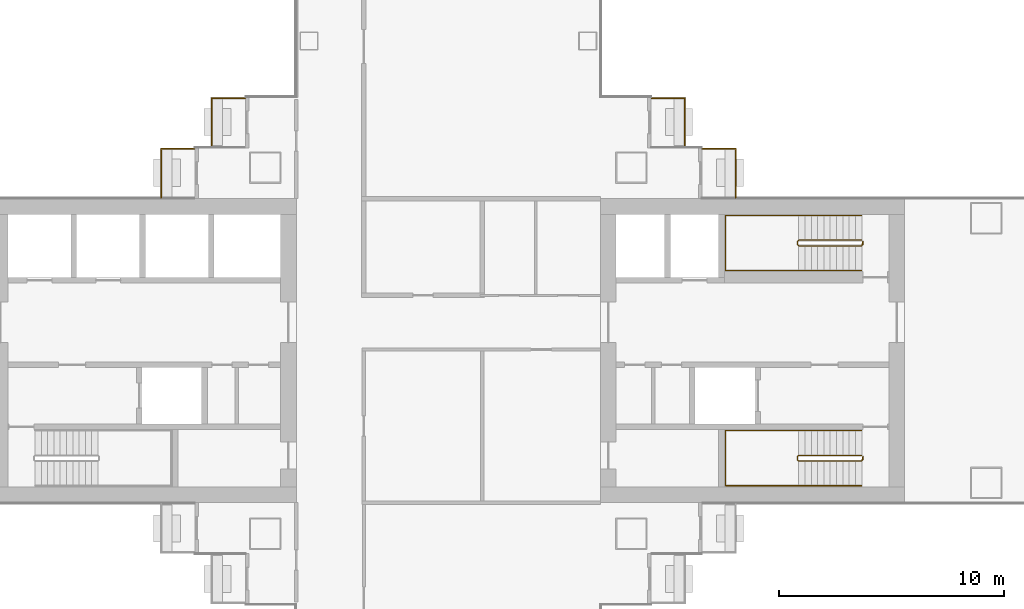
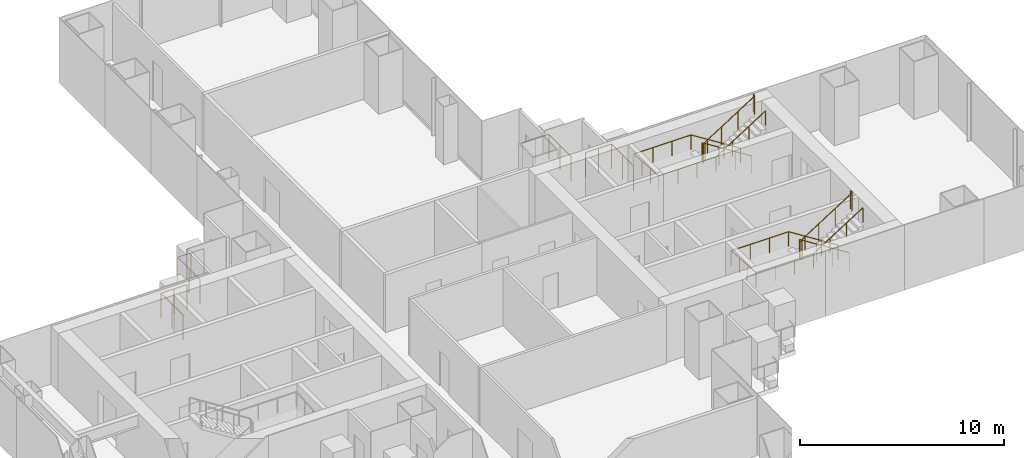
# One storey, part 21 of 22: 8 railings.
"""IFC4 building model written with IfcOpenShell, lengths in metres."""

import ifcopenshell
import ifcopenshell.guid

model = None  # the IFC model being written
_history = None  # IfcOwnerHistory: only IFC2X3 demands one
_inside = {}  # id of a spatial element -> (the spatial element, [elements in it])
_under = {}  # id of a project, library or spatial element -> (it, [spatial elements below it])
_declared = {}  # id of a project -> (the project, [libraries it declares])
_typed = {}  # id of a type object -> (the type object, [elements of that type])
_made_of = {}  # id of a material, layer set ... -> (it, [elements and type objects made of it])


def new_model(schema):
    """Start an empty IFC model of exactly this schema.

    Asked for "IFC4X3", IfcOpenShell would pick the latest addendum, in which some entities
    have other attributes; the version numbers below select the first issue.
    IFC2X3 requires an IfcOwnerHistory on every rooted entity: one is made here for all.
    """
    global model, _history
    if schema == "IFC4X3":
        model = ifcopenshell.file(schema_version=(4, 3, 0, 0))
    else:
        model = ifcopenshell.file(schema=schema)
    _inside.clear()
    _under.clear()
    _declared.clear()
    _typed.clear()
    _made_of.clear()
    _history = None
    if model.schema == "IFC2X3":
        org = make("IfcOrganization", Name="unknown")
        user = make(
            "IfcPersonAndOrganization",
            ThePerson=make("IfcPerson", FamilyName="unknown"),
            TheOrganization=org,
        )
        app = make(
            "IfcApplication",
            ApplicationDeveloper=org,
            Version="unknown",
            ApplicationFullName="unknown",
            ApplicationIdentifier="unknown",
        )
        _history = make(
            "IfcOwnerHistory",
            OwningUser=user,
            OwningApplication=app,
            ChangeAction="ADDED",
            CreationDate=0,
        )
    return model


def make(cls, **values):
    """One entity of the class cls with the attributes given. An attribute that is None is left unset."""
    return model.create_entity(
        cls, **{name: value for name, value in values.items() if value is not None}
    )


def rooted(cls, **values):
    """An entity with a GlobalId (a new one), such as an element, a storey or a relation."""
    return make(cls, GlobalId=ifcopenshell.guid.new(), OwnerHistory=_history, **values)


def si_unit(unit_type, name, prefix=None):
    """IfcSIUnit, for example si_unit("LENGTHUNIT", "METRE", prefix="MILLI")."""
    return make("IfcSIUnit", UnitType=unit_type, Prefix=prefix, Name=name)


def assignment(units):
    """IfcUnitAssignment: the units of a project."""
    return None if units is None else make("IfcUnitAssignment", Units=units)


def point(xyz):
    """IfcCartesianPoint."""
    return None if xyz is None else make("IfcCartesianPoint", Coordinates=xyz)


def direction(xyz):
    """IfcDirection."""
    return None if xyz is None else make("IfcDirection", DirectionRatios=xyz)


def frame(location, z_axis=None, x_axis=None):
    """IfcAxis2Placement3D, a coordinate frame: its origin and axes. An axis left out is left unset."""
    return make(
        "IfcAxis2Placement3D",
        Location=point(location),
        Axis=direction(z_axis),
        RefDirection=direction(x_axis),
    )


def frame_2d(location, x_axis=None):
    """IfcAxis2Placement2D, a coordinate frame in the plane: its origin and x axis."""
    return make(
        "IfcAxis2Placement2D", Location=point(location), RefDirection=direction(x_axis)
    )


def origin():
    """The frame at (0, 0, 0) with its axes left unset."""
    return frame((0.0, 0.0, 0.0))


def origin_2d():
    """The frame at (0, 0) in the plane with its x axis left unset."""
    return frame_2d((0.0, 0.0))


def place(relative_to, where):
    """IfcLocalPlacement: puts the frame where relative to a parent placement (None: the world)."""
    return make(
        "IfcLocalPlacement", PlacementRelTo=relative_to, RelativePlacement=where
    )


def context(
    kind, dimensions, precision=None, world=None, true_north=None, identifier=None
):
    """IfcGeometricRepresentationContext, for example the 3D "Model" context."""
    return make(
        "IfcGeometricRepresentationContext",
        ContextIdentifier=identifier,
        ContextType=kind,
        CoordinateSpaceDimension=dimensions,
        Precision=precision,
        WorldCoordinateSystem=world,
        TrueNorth=true_north,
    )


def subcontext(parent, identifier, kind, view, scale=None):
    """IfcGeometricRepresentationSubContext, for example "Body" below "Model"."""
    return make(
        "IfcGeometricRepresentationSubContext",
        ContextIdentifier=identifier,
        ContextType=kind,
        ParentContext=parent,
        TargetScale=scale,
        TargetView=view,
    )


def project(units=None, contexts=None):
    """IfcProject with its units and contexts."""
    return rooted(
        "IfcProject",
        Name="project",
        RepresentationContexts=contexts,
        UnitsInContext=assignment(units),
    )


def spatial(cls, under=None, at=None, **own):
    """A site, building, storey or space (cls), placed at a placement, below another one or the project."""
    s = rooted(cls, ObjectPlacement=at, **own)
    if under is not None:
        _under.setdefault(under.id(), (under, []))[1].append(s)
    return s


def profile(cls, at=None, kind="AREA", **sizes):
    """A parametric profile (cls). Its sizes go by their IFC names, for example OverallWidth=200.0."""
    return make(cls, ProfileType=kind, Position=at, **sizes)


def circle(**sizes):
    """IfcCircleProfileDef."""
    return profile("IfcCircleProfileDef", **sizes)


def extrude(swept, where, along, depth):
    """IfcExtrudedAreaSolid: the profile swept, set in the frame where, extruded along a direction by depth."""
    return make(
        "IfcExtrudedAreaSolid",
        SweptArea=swept,
        Position=where,
        ExtrudedDirection=direction(along),
        Depth=depth,
    )


def shape(context_of_items, identifier, shape_type, items):
    """IfcShapeRepresentation: the items that make up one representation, for example the "Body"."""
    return make(
        "IfcShapeRepresentation",
        ContextOfItems=context_of_items,
        RepresentationIdentifier=identifier,
        RepresentationType=shape_type,
        Items=items,
    )


def material(Name=None, Category=None):
    """IfcMaterial."""
    return make("IfcMaterial", Name=Name, Category=Category)


def made_of(thing, what):
    """Note that an element or type object is made of a material, layer set ...; save() writes the relation."""
    if what is not None:
        _made_of.setdefault(what.id(), (what, []))[1].append(thing)
    return thing


def type_object(cls, material=None, **own):
    """A type object (cls), such as IfcWallType, which elements share."""
    return made_of(rooted(cls, **own), material)


def element(
    cls,
    number,
    at=None,
    inside=None,
    cuts=None,
    type_object=None,
    material=None,
    context=None,
    identifier="Body",
    shape_type=None,
    held_by="IfcProductDefinitionShape",
    body=None,
    shapes=None,
    **own,
):
    """One element of the class cls, such as IfcWall. Its Tag is "e" and its number.

    at: its placement. inside: the storey or other place that contains it. cuts: it is an
    opening in that element (IfcRelVoidsElement). A single representation is given by context,
    identifier, shape_type and body (its items); several are given by shapes. held_by: the class
    of the entity that holds the representations. save() writes the other relations.
    """
    e = rooted(cls, Tag="e%d" % number, ObjectPlacement=at, **own)
    if body is not None:
        shapes = [shape(context, identifier, shape_type, body)]
    if shapes is not None:
        e.Representation = make(held_by, Representations=shapes)
    if inside is not None:
        _inside.setdefault(inside.id(), (inside, []))[1].append(e)
    if cuts is not None:
        rooted(
            "IfcRelVoidsElement", RelatingBuildingElement=cuts, RelatedOpeningElement=e
        )
    if type_object is not None:
        _typed.setdefault(type_object.id(), (type_object, []))[1].append(e)
    return made_of(e, material)


def aggregate(whole, parts):
    """IfcRelAggregates: a whole, such as a stair, and the parts it consists of."""
    return rooted("IfcRelAggregates", RelatingObject=whole, RelatedObjects=parts)


def save(model, path):
    """Write the relations noted so far, then the file.

    IfcRelAggregates (storeys below a building ...), IfcRelContainedInSpatialStructure (elements
    in a storey), IfcRelDefinesByType, IfcRelAssociatesMaterial and IfcRelDeclares: one each for
    every whole, place, type object, material and project.
    """
    for whole, parts in _under.values():
        aggregate(whole, parts)
    for where, things in _inside.values():
        rooted(
            "IfcRelContainedInSpatialStructure",
            RelatedElements=things,
            RelatingStructure=where,
        )
    for kind, things in _typed.values():
        rooted("IfcRelDefinesByType", RelatedObjects=things, RelatingType=kind)
    for what, things in _made_of.values():
        rooted("IfcRelAssociatesMaterial", RelatedObjects=things, RelatingMaterial=what)
    for by, libraries in _declared.values():
        rooted("IfcRelDeclares", RelatingContext=by, RelatedDefinitions=libraries)
    model.write(path)


model = new_model("IFC4")

# Units and contexts
model_context = context("Model", 3, precision=1e-05, world=origin(), true_north=direction((0.0, 1.0)))
body_context = subcontext(model_context, "Body", "Model", "MODEL_VIEW")
ifc_project = project(units=[si_unit("LENGTHUNIT", "METRE"), si_unit("AREAUNIT", "SQUARE_METRE"), si_unit("VOLUMEUNIT", "CUBIC_METRE"), si_unit("PLANEANGLEUNIT", "RADIAN"), si_unit("MASSUNIT", "GRAM", prefix="KILO")], contexts=[model_context])

# Site, building, storey
site_placement = place(None, origin())
site = spatial("IfcSite", under=ifc_project, at=site_placement, CompositionType="ELEMENT")
building_placement = place(site_placement, origin())
building = spatial("IfcBuilding", under=site, at=building_placement, Name="Shamsa Quay Exchange Towers", CompositionType="ELEMENT")
storey_placement = place(building_placement, frame((0.0, 0.0, 73.199951171875)))
storey = spatial("IfcBuildingStorey", under=building, at=storey_placement, Name="L16", CompositionType="ELEMENT", Elevation=73.199951171875)

# Railings
ifc_material_1 = material(Name="Steel S355, black powder-coated", Category="steel")
railing_type_1 = type_object("IfcRailingType", Name="BALCONY GUARD 1500", PredefinedType="GUARDRAIL", material=ifc_material_1)
for number, where, name in (
    (1, (24.72900390625, 11.199951171875, 0.0), "Balcony guard T2-PKEN L16"),
    (2, (22.47900390625, 8.949951171875, 0.0), "Balcony guard T2-PKEN L16"),
):
    element("IfcRailing", number, at=place(storey_placement, frame(where)), inside=storey, type_object=railing_type_1, Name=name, PredefinedType="GUARDRAIL", context=body_context, shape_type="SweptSolid", body=[
        extrude(circle(Radius=0.02392578125, at=origin_2d()), frame((0.0, 0.0, 1.47607421875), z_axis=(-1.0, 0.0, 0.0), x_axis=(0.0, -1.0, 0.0)), (0.0, 0.0, 1.0), 1.47900390625),
        extrude(circle(Radius=0.02392578125, at=origin_2d()), frame((-1.47900390625, 0.0, 1.47607421875), z_axis=(0.0, -1.0, 0.0), x_axis=(1.0, 0.0, 0.0)), (0.0, 0.0, 1.0), 2.161865234375),
        extrude(circle(Radius=0.02099609375, at=origin_2d()), origin(), (0.0, 0.0, 1.0), 1.451904296875),
        extrude(circle(Radius=0.02099609375, at=origin_2d()), frame((-0.739501953125, 0.0, 0.0)), (0.0, 0.0, 1.0), 1.451904296875),
        extrude(circle(Radius=0.02099609375, at=origin_2d()), frame((-1.47900390625, 0.0, 0.0)), (0.0, 0.0, 1.0), 1.451904296875),
        extrude(circle(Radius=0.02099609375, at=origin_2d()), frame((-1.47900390625, -1.0810546875, 0.0)), (0.0, 0.0, 1.0), 1.451904296875),
        extrude(circle(Radius=0.02099609375, at=origin_2d()), frame((-1.47900390625, -2.161865234375, 0.0)), (0.0, 0.0, 1.0), 1.451904296875),
    ])
for number, where, name in (
    (3, (44.25, 9.0380859375, 0.0), "Balcony guard T2-PKES L16"),
    (4, (46.5, 6.7880859375, 0.0), "Balcony guard T2-PKES L16"),
):
    element("IfcRailing", number, at=place(storey_placement, frame(where)), inside=storey, type_object=railing_type_1, Name=name, PredefinedType="GUARDRAIL", context=body_context, shape_type="SweptSolid", body=[
        extrude(circle(Radius=0.02392578125, at=origin_2d()), frame((0.0, 0.0, 1.47607421875), z_axis=(0.0, 1.0, 0.0), x_axis=(-1.0, 0.0, 0.0)), (0.0, 0.0, 1.0), 2.161865234375),
        extrude(circle(Radius=0.02392578125, at=origin_2d()), frame((0.0, 2.161865234375, 1.47607421875), z_axis=(-1.0, 0.0, 0.0), x_axis=(0.0, -1.0, 0.0)), (0.0, 0.0, 1.0), 1.47900390625),
        extrude(circle(Radius=0.02099609375, at=origin_2d()), origin(), (0.0, 0.0, 1.0), 1.451904296875),
        extrude(circle(Radius=0.02099609375, at=origin_2d()), frame((0.0, 1.0810546875, 0.0)), (0.0, 0.0, 1.0), 1.451904296875),
        extrude(circle(Radius=0.02099609375, at=origin_2d()), frame((0.0, 2.161865234375, 0.0)), (0.0, 0.0, 1.0), 1.451904296875),
        extrude(circle(Radius=0.02099609375, at=origin_2d()), frame((-0.739501953125, 2.161865234375, 0.0)), (0.0, 0.0, 1.0), 1.451904296875),
        extrude(circle(Radius=0.02099609375, at=origin_2d()), frame((-1.47900390625, 2.161865234375, 0.0)), (0.0, 0.0, 1.0), 1.451904296875),
    ])
ifc_material_2 = material(Name="Stainless steel", Category="steel")
railing_type_2 = type_object("IfcRailingType", Name="STAIR GUARD 1100", PredefinedType="GUARDRAIL", material=ifc_material_2)
railing_1_placement = place(storey_placement, frame((52.10009765625, -4.64990234375, 0.17724609375)))
element("IfcRailing", 5, at=railing_1_placement, inside=storey, type_object=railing_type_2, Name="L16 ST5 stair guard 1", PredefinedType="GUARDRAIL", context=body_context, shape_type="SweptSolid", body=[
    extrude(circle(Radius=0.02392578125, at=origin_2d()), frame((0.0, 0.0, 1.076171875), z_axis=(-0.844908973607, 0.0, 0.534910110503), x_axis=(0.0, -1.0, 0.0)), (0.0, 0.0, 1.0), 3.31396484375),
    extrude(circle(Radius=0.02392578125, at=origin_2d()), frame((-2.800048828125, 0.0, 2.8486328125), z_axis=(-0.707106781187, -0.707106781187, 0.0), x_axis=(0.707106781187, -0.707106781187, 0.0)), (0.0, 0.0, 1.0), 0.07080078125),
    extrude(circle(Radius=0.02392578125, at=origin_2d()), frame((-2.85009765625, -0.050048828125, 2.8486328125), z_axis=(0.0, -1.0, 0.0), x_axis=(1.0, 0.0, 0.0)), (0.0, 0.0, 1.0), 0.150146484375),
    extrude(circle(Radius=0.02392578125, at=origin_2d()), frame((-2.85009765625, -0.2001953125, 2.8486328125), z_axis=(0.262009983441, -0.260731885961, 0.929176868105), x_axis=(0.705375805398, 0.708833529934, 0.0)), (0.0, 0.0, 1.0), 0.19091796875),
    extrude(circle(Radius=0.02392578125, at=origin_2d()), frame((-2.800048828125, -0.25, 3.0263671875), z_axis=(0.844908973607, 0.0, 0.534910110503), x_axis=(0.0, 1.0, 0.0)), (0.0, 0.0, 1.0), 3.31396484375),
    extrude(circle(Radius=0.02392578125, at=origin_2d()), frame((0.0, -0.25, 4.798828125), z_axis=(0.241699205484, 0.970351222016, 0.0), x_axis=(-0.970351222016, 0.241699205484, 0.0)), (0.0, 0.0, 1.0), 0.2060546875),
    extrude(circle(Radius=0.02392578125, at=origin_2d()), frame((0.0498046875, -0.050048828125, 4.798828125), z_axis=(0.0, -1.0, 0.0), x_axis=(1.0, 0.0, 0.0)), (0.0, 0.0, 1.0), 0.150146484375),
    extrude(circle(Radius=0.02099609375, at=origin_2d()), origin(), (0.0, 0.0, 1.0), 1.052001953125),
    extrude(circle(Radius=0.02099609375, at=origin_2d()), frame((-0.933349609375, 0.0, 0.5908203125)), (0.0, 0.0, 1.0), 1.052001953125),
    extrude(circle(Radius=0.02099609375, at=origin_2d()), frame((-1.86669921875, 0.0, 1.181884765625)), (0.0, 0.0, 1.0), 1.052001953125),
    extrude(circle(Radius=0.02099609375, at=origin_2d()), frame((-2.800048828125, 0.0, 1.772705078125)), (0.0, 0.0, 1.0), 1.052001953125),
    extrude(circle(Radius=0.02099609375, at=origin_2d()), frame((-2.85009765625, -0.050048828125, 1.772705078125)), (0.0, 0.0, 1.0), 1.052001953125),
    extrude(circle(Radius=0.02099609375, at=origin_2d()), frame((-2.85009765625, -0.2001953125, 1.772705078125)), (0.0, 0.0, 1.0), 1.052001953125),
    extrude(circle(Radius=0.02099609375, at=origin_2d()), frame((-2.800048828125, -0.25, 1.9501953125)), (0.0, 0.0, 1.0), 1.052001953125),
    extrude(circle(Radius=0.02099609375, at=origin_2d()), frame((-1.86669921875, -0.25, 2.541015625)), (0.0, 0.0, 1.0), 1.052001953125),
    extrude(circle(Radius=0.02099609375, at=origin_2d()), frame((-0.933349609375, -0.25, 3.132080078125)), (0.0, 0.0, 1.0), 1.052001953125),
    extrude(circle(Radius=0.02099609375, at=origin_2d()), frame((0.0, -0.25, 3.722900390625)), (0.0, 0.0, 1.0), 1.052001953125),
    extrude(circle(Radius=0.02099609375, at=origin_2d()), frame((0.0498046875, -0.050048828125, 3.722900390625)), (0.0, 0.0, 1.0), 1.052001953125),
    extrude(circle(Radius=0.02099609375, at=origin_2d()), frame((0.0498046875, -0.2001953125, 3.722900390625)), (0.0, 0.0, 1.0), 1.052001953125),
])
railing_2_placement = place(storey_placement, frame((52.10009765625, 4.89990234375, 0.17724609375)))
element("IfcRailing", 6, at=railing_2_placement, inside=storey, type_object=railing_type_2, Name="L16 ST6 stair guard 1", PredefinedType="GUARDRAIL", context=body_context, shape_type="SweptSolid", body=[
    extrude(circle(Radius=0.02392578125, at=origin_2d()), frame((0.0, 0.0, 1.076171875), z_axis=(-0.844908973607, 0.0, 0.534910110503), x_axis=(0.0, -1.0, 0.0)), (0.0, 0.0, 1.0), 3.31396484375),
    extrude(circle(Radius=0.02392578125, at=origin_2d()), frame((-2.800048828125, 0.0, 2.8486328125), z_axis=(-0.708833529934, -0.705375805398, 0.0), x_axis=(0.705375805398, -0.708833529934, 0.0)), (0.0, 0.0, 1.0), 0.070556640625),
    extrude(circle(Radius=0.02392578125, at=origin_2d()), frame((-2.85009765625, -0.0498046875, 2.8486328125), z_axis=(0.0, -1.0, 0.0), x_axis=(1.0, 0.0, 0.0)), (0.0, 0.0, 1.0), 0.150146484375),
    extrude(circle(Radius=0.02392578125, at=origin_2d()), frame((-2.85009765625, -0.199951171875, 2.8486328125), z_axis=(0.261922500866, -0.261922500866, 0.928866625022), x_axis=(0.707106781187, 0.707106781187, 0.0)), (0.0, 0.0, 1.0), 0.191162109375),
    extrude(circle(Radius=0.02392578125, at=origin_2d()), frame((-2.800048828125, -0.25, 3.0263671875), z_axis=(0.844908973607, 0.0, 0.534910110503), x_axis=(0.0, 1.0, 0.0)), (0.0, 0.0, 1.0), 3.31396484375),
    extrude(circle(Radius=0.02392578125, at=origin_2d()), frame((0.0, -0.25, 4.798828125), z_axis=(0.24142163986, 0.970420317083, 0.0), x_axis=(-0.970420317083, 0.24142163986, 0.0)), (0.0, 0.0, 1.0), 0.206298828125),
    extrude(circle(Radius=0.02392578125, at=origin_2d()), frame((0.0498046875, -0.0498046875, 4.798828125), z_axis=(0.0, -1.0, 0.0), x_axis=(1.0, 0.0, 0.0)), (0.0, 0.0, 1.0), 0.150146484375),
    extrude(circle(Radius=0.02099609375, at=origin_2d()), origin(), (0.0, 0.0, 1.0), 1.052001953125),
    extrude(circle(Radius=0.02099609375, at=origin_2d()), frame((-0.933349609375, 0.0, 0.5908203125)), (0.0, 0.0, 1.0), 1.052001953125),
    extrude(circle(Radius=0.02099609375, at=origin_2d()), frame((-1.86669921875, 0.0, 1.181884765625)), (0.0, 0.0, 1.0), 1.052001953125),
    extrude(circle(Radius=0.02099609375, at=origin_2d()), frame((-2.800048828125, 0.0, 1.772705078125)), (0.0, 0.0, 1.0), 1.052001953125),
    extrude(circle(Radius=0.02099609375, at=origin_2d()), frame((-2.85009765625, -0.0498046875, 1.772705078125)), (0.0, 0.0, 1.0), 1.052001953125),
    extrude(circle(Radius=0.02099609375, at=origin_2d()), frame((-2.85009765625, -0.199951171875, 1.772705078125)), (0.0, 0.0, 1.0), 1.052001953125),
    extrude(circle(Radius=0.02099609375, at=origin_2d()), frame((-2.800048828125, -0.25, 1.9501953125)), (0.0, 0.0, 1.0), 1.052001953125),
    extrude(circle(Radius=0.02099609375, at=origin_2d()), frame((-1.86669921875, -0.25, 2.541015625)), (0.0, 0.0, 1.0), 1.052001953125),
    extrude(circle(Radius=0.02099609375, at=origin_2d()), frame((-0.933349609375, -0.25, 3.132080078125)), (0.0, 0.0, 1.0), 1.052001953125),
    extrude(circle(Radius=0.02099609375, at=origin_2d()), frame((0.0, -0.25, 3.722900390625)), (0.0, 0.0, 1.0), 1.052001953125),
    extrude(circle(Radius=0.02099609375, at=origin_2d()), frame((0.0498046875, -0.0498046875, 3.722900390625)), (0.0, 0.0, 1.0), 1.052001953125),
    extrude(circle(Radius=0.02099609375, at=origin_2d()), frame((0.0498046875, -0.199951171875, 3.722900390625)), (0.0, 0.0, 1.0), 1.052001953125),
])
railing_type_3 = type_object("IfcRailingType", Name="STAIR HANDRAIL 900", PredefinedType="HANDRAIL", material=ifc_material_2)
railing_3_placement = place(storey_placement, frame((52.10009765625, -3.550048828125, 0.17724609375)))
element("IfcRailing", 7, at=railing_3_placement, inside=storey, type_object=railing_type_3, Name="L16 ST5 stair handrail 1", PredefinedType="HANDRAIL", context=body_context, shape_type="SweptSolid", body=[
    extrude(circle(Radius=0.02392578125, at=origin_2d()), frame((0.0, 0.0, 0.8759765625), z_axis=(-0.844908973607, 0.0, 0.534910110503), x_axis=(0.0, -1.0, 0.0)), (0.0, 0.0, 1.0), 3.31396484375),
    extrude(circle(Radius=0.02392578125, at=origin_2d()), frame((-2.800048828125, 0.0, 2.6484375), z_axis=(-1.0, 0.0, 0.0), x_axis=(0.0, -1.0, 0.0)), (0.0, 0.0, 1.0), 3.25),
    extrude(circle(Radius=0.02392578125, at=origin_2d()), frame((-6.050048828125, 0.0, 2.6484375), z_axis=(0.0, -0.997386041853, 0.072257065513), x_axis=(1.0, 0.0, 0.0)), (0.0, 0.0, 1.0), 2.456298828125),
    extrude(circle(Radius=0.02392578125, at=origin_2d()), frame((-6.050048828125, -2.449951171875, 2.826171875), z_axis=(1.0, 0.0, 0.0), x_axis=(0.0, 1.0, 0.0)), (0.0, 0.0, 1.0), 3.25),
    extrude(circle(Radius=0.02392578125, at=origin_2d()), frame((-2.800048828125, -2.449951171875, 2.826171875), z_axis=(0.844908973607, 0.0, 0.534910110503), x_axis=(0.0, 1.0, 0.0)), (0.0, 0.0, 1.0), 3.31396484375),
    extrude(circle(Radius=0.02099609375, at=origin_2d()), origin(), (0.0, 0.0, 1.0), 0.851806640625),
    extrude(circle(Radius=0.02099609375, at=origin_2d()), frame((-0.933349609375, 0.0, 0.5908203125)), (0.0, 0.0, 1.0), 0.851806640625),
    extrude(circle(Radius=0.02099609375, at=origin_2d()), frame((-1.86669921875, 0.0, 1.181884765625)), (0.0, 0.0, 1.0), 0.851806640625),
    extrude(circle(Radius=0.02099609375, at=origin_2d()), frame((-2.800048828125, 0.0, 1.772705078125)), (0.0, 0.0, 1.0), 0.851806640625),
    extrude(circle(Radius=0.02099609375, at=origin_2d()), frame((-3.88330078125, 0.0, 1.772705078125)), (0.0, 0.0, 1.0), 0.851806640625),
    extrude(circle(Radius=0.02099609375, at=origin_2d()), frame((-4.966796875, 0.0, 1.772705078125)), (0.0, 0.0, 1.0), 0.851806640625),
    extrude(circle(Radius=0.02099609375, at=origin_2d()), frame((-6.050048828125, 0.0, 1.772705078125)), (0.0, 0.0, 1.0), 0.851806640625),
    extrude(circle(Radius=0.02099609375, at=origin_2d()), frame((-6.050048828125, -0.816650390625, 1.831787109375)), (0.0, 0.0, 1.0), 0.851806640625),
    extrude(circle(Radius=0.02099609375, at=origin_2d()), frame((-6.050048828125, -1.63330078125, 1.89111328125)), (0.0, 0.0, 1.0), 0.851806640625),
    extrude(circle(Radius=0.02099609375, at=origin_2d()), frame((-6.050048828125, -2.449951171875, 1.9501953125)), (0.0, 0.0, 1.0), 0.851806640625),
    extrude(circle(Radius=0.02099609375, at=origin_2d()), frame((-4.966796875, -2.449951171875, 1.9501953125)), (0.0, 0.0, 1.0), 0.851806640625),
    extrude(circle(Radius=0.02099609375, at=origin_2d()), frame((-3.88330078125, -2.449951171875, 1.9501953125)), (0.0, 0.0, 1.0), 0.851806640625),
    extrude(circle(Radius=0.02099609375, at=origin_2d()), frame((-2.800048828125, -2.449951171875, 1.9501953125)), (0.0, 0.0, 1.0), 0.851806640625),
    extrude(circle(Radius=0.02099609375, at=origin_2d()), frame((-1.86669921875, -2.449951171875, 2.541015625)), (0.0, 0.0, 1.0), 0.851806640625),
    extrude(circle(Radius=0.02099609375, at=origin_2d()), frame((-0.933349609375, -2.449951171875, 3.132080078125)), (0.0, 0.0, 1.0), 0.851806640625),
    extrude(circle(Radius=0.02099609375, at=origin_2d()), frame((0.0, -2.449951171875, 3.722900390625)), (0.0, 0.0, 1.0), 0.851806640625),
])
railing_4_placement = place(storey_placement, frame((52.10009765625, 6.0, 0.17724609375)))
element("IfcRailing", 8, at=railing_4_placement, inside=storey, type_object=railing_type_3, Name="L16 ST6 stair handrail 1", PredefinedType="HANDRAIL", context=body_context, shape_type="SweptSolid", body=[
    extrude(circle(Radius=0.02392578125, at=origin_2d()), frame((0.0, 0.0, 0.8759765625), z_axis=(-0.844908973607, 0.0, 0.534910110503), x_axis=(0.0, -1.0, 0.0)), (0.0, 0.0, 1.0), 3.31396484375),
    extrude(circle(Radius=0.02392578125, at=origin_2d()), frame((-2.800048828125, 0.0, 2.6484375), z_axis=(-1.0, 0.0, 0.0), x_axis=(0.0, -1.0, 0.0)), (0.0, 0.0, 1.0), 3.25),
    extrude(circle(Radius=0.02392578125, at=origin_2d()), frame((-6.050048828125, 0.0, 2.6484375), z_axis=(0.0, -0.997386041853, 0.072257065513), x_axis=(1.0, 0.0, 0.0)), (0.0, 0.0, 1.0), 2.456298828125),
    extrude(circle(Radius=0.02392578125, at=origin_2d()), frame((-6.050048828125, -2.449951171875, 2.826171875), z_axis=(1.0, 0.0, 0.0), x_axis=(0.0, 1.0, 0.0)), (0.0, 0.0, 1.0), 3.25),
    extrude(circle(Radius=0.02392578125, at=origin_2d()), frame((-2.800048828125, -2.449951171875, 2.826171875), z_axis=(0.844908973607, 0.0, 0.534910110503), x_axis=(0.0, 1.0, 0.0)), (0.0, 0.0, 1.0), 3.31396484375),
    extrude(circle(Radius=0.02099609375, at=origin_2d()), origin(), (0.0, 0.0, 1.0), 0.851806640625),
    extrude(circle(Radius=0.02099609375, at=origin_2d()), frame((-0.933349609375, 0.0, 0.5908203125)), (0.0, 0.0, 1.0), 0.851806640625),
    extrude(circle(Radius=0.02099609375, at=origin_2d()), frame((-1.86669921875, 0.0, 1.181884765625)), (0.0, 0.0, 1.0), 0.851806640625),
    extrude(circle(Radius=0.02099609375, at=origin_2d()), frame((-2.800048828125, 0.0, 1.772705078125)), (0.0, 0.0, 1.0), 0.851806640625),
    extrude(circle(Radius=0.02099609375, at=origin_2d()), frame((-3.88330078125, 0.0, 1.772705078125)), (0.0, 0.0, 1.0), 0.851806640625),
    extrude(circle(Radius=0.02099609375, at=origin_2d()), frame((-4.966796875, 0.0, 1.772705078125)), (0.0, 0.0, 1.0), 0.851806640625),
    extrude(circle(Radius=0.02099609375, at=origin_2d()), frame((-6.050048828125, 0.0, 1.772705078125)), (0.0, 0.0, 1.0), 0.851806640625),
    extrude(circle(Radius=0.02099609375, at=origin_2d()), frame((-6.050048828125, -0.816650390625, 1.831787109375)), (0.0, 0.0, 1.0), 0.851806640625),
    extrude(circle(Radius=0.02099609375, at=origin_2d()), frame((-6.050048828125, -1.63330078125, 1.89111328125)), (0.0, 0.0, 1.0), 0.851806640625),
    extrude(circle(Radius=0.02099609375, at=origin_2d()), frame((-6.050048828125, -2.449951171875, 1.9501953125)), (0.0, 0.0, 1.0), 0.851806640625),
    extrude(circle(Radius=0.02099609375, at=origin_2d()), frame((-4.966796875, -2.449951171875, 1.9501953125)), (0.0, 0.0, 1.0), 0.851806640625),
    extrude(circle(Radius=0.02099609375, at=origin_2d()), frame((-3.88330078125, -2.449951171875, 1.9501953125)), (0.0, 0.0, 1.0), 0.851806640625),
    extrude(circle(Radius=0.02099609375, at=origin_2d()), frame((-2.800048828125, -2.449951171875, 1.9501953125)), (0.0, 0.0, 1.0), 0.851806640625),
    extrude(circle(Radius=0.02099609375, at=origin_2d()), frame((-1.86669921875, -2.449951171875, 2.541015625)), (0.0, 0.0, 1.0), 0.851806640625),
    extrude(circle(Radius=0.02099609375, at=origin_2d()), frame((-0.933349609375, -2.449951171875, 3.132080078125)), (0.0, 0.0, 1.0), 0.851806640625),
    extrude(circle(Radius=0.02099609375, at=origin_2d()), frame((0.0, -2.449951171875, 3.722900390625)), (0.0, 0.0, 1.0), 0.851806640625),
])

save(model, "model.ifc")
